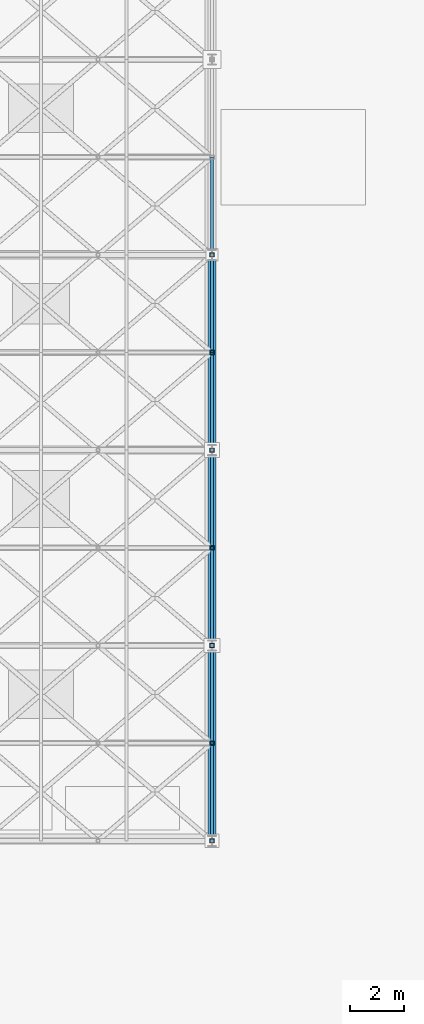
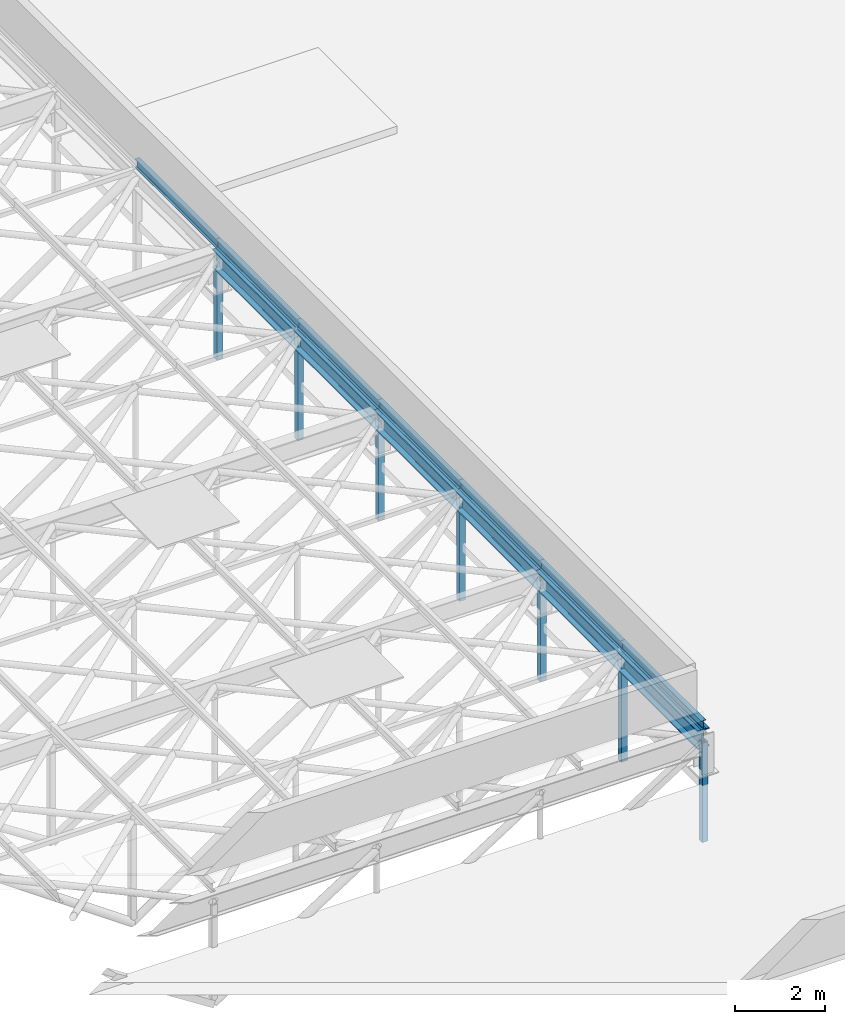
# One storey, part 16 of 45: 14 members, 3 beams.
"""IFC4 building model written with IfcOpenShell, lengths in metres."""

import ifcopenshell
import ifcopenshell.guid

model = None  # the IFC model being written
_history = None  # IfcOwnerHistory: only IFC2X3 demands one
_inside = {}  # id of a spatial element -> (the spatial element, [elements in it])
_under = {}  # id of a project, library or spatial element -> (it, [spatial elements below it])
_declared = {}  # id of a project -> (the project, [libraries it declares])
_typed = {}  # id of a type object -> (the type object, [elements of that type])
_made_of = {}  # id of a material, layer set ... -> (it, [elements and type objects made of it])


def new_model(schema):
    """Start an empty IFC model of exactly this schema.

    Asked for "IFC4X3", IfcOpenShell would pick the latest addendum, in which some entities
    have other attributes; the version numbers below select the first issue.
    IFC2X3 requires an IfcOwnerHistory on every rooted entity: one is made here for all.
    """
    global model, _history
    if schema == "IFC4X3":
        model = ifcopenshell.file(schema_version=(4, 3, 0, 0))
    else:
        model = ifcopenshell.file(schema=schema)
    _inside.clear()
    _under.clear()
    _declared.clear()
    _typed.clear()
    _made_of.clear()
    _history = None
    if model.schema == "IFC2X3":
        org = make("IfcOrganization", Name="unknown")
        user = make(
            "IfcPersonAndOrganization",
            ThePerson=make("IfcPerson", FamilyName="unknown"),
            TheOrganization=org,
        )
        app = make(
            "IfcApplication",
            ApplicationDeveloper=org,
            Version="unknown",
            ApplicationFullName="unknown",
            ApplicationIdentifier="unknown",
        )
        _history = make(
            "IfcOwnerHistory",
            OwningUser=user,
            OwningApplication=app,
            ChangeAction="ADDED",
            CreationDate=0,
        )
    return model


def make(cls, **values):
    """One entity of the class cls with the attributes given. An attribute that is None is left unset."""
    return model.create_entity(
        cls, **{name: value for name, value in values.items() if value is not None}
    )


def rooted(cls, **values):
    """An entity with a GlobalId (a new one), such as an element, a storey or a relation."""
    return make(cls, GlobalId=ifcopenshell.guid.new(), OwnerHistory=_history, **values)


def si_unit(unit_type, name, prefix=None):
    """IfcSIUnit, for example si_unit("LENGTHUNIT", "METRE", prefix="MILLI")."""
    return make("IfcSIUnit", UnitType=unit_type, Prefix=prefix, Name=name)


def derived_unit(unit_type, elements):
    """IfcDerivedUnit: a product of units, each with its exponent."""
    return make(
        "IfcDerivedUnit",
        Elements=[
            make("IfcDerivedUnitElement", Unit=unit, Exponent=power)
            for unit, power in elements
        ],
        UnitType=unit_type,
    )


def assignment(units):
    """IfcUnitAssignment: the units of a project."""
    return None if units is None else make("IfcUnitAssignment", Units=units)


def point(xyz):
    """IfcCartesianPoint."""
    return None if xyz is None else make("IfcCartesianPoint", Coordinates=xyz)


def direction(xyz):
    """IfcDirection."""
    return None if xyz is None else make("IfcDirection", DirectionRatios=xyz)


def frame(location, z_axis=None, x_axis=None):
    """IfcAxis2Placement3D, a coordinate frame: its origin and axes. An axis left out is left unset."""
    return make(
        "IfcAxis2Placement3D",
        Location=point(location),
        Axis=direction(z_axis),
        RefDirection=direction(x_axis),
    )


def frame_2d(location, x_axis=None):
    """IfcAxis2Placement2D, a coordinate frame in the plane: its origin and x axis."""
    return make(
        "IfcAxis2Placement2D", Location=point(location), RefDirection=direction(x_axis)
    )


def origin():
    """The frame at (0, 0, 0) with its axes left unset."""
    return frame((0.0, 0.0, 0.0))


def origin_2d():
    """The frame at (0, 0) in the plane with its x axis left unset."""
    return frame_2d((0.0, 0.0))


def place(relative_to, where):
    """IfcLocalPlacement: puts the frame where relative to a parent placement (None: the world)."""
    return make(
        "IfcLocalPlacement", PlacementRelTo=relative_to, RelativePlacement=where
    )


def context(
    kind, dimensions, precision=None, world=None, true_north=None, identifier=None
):
    """IfcGeometricRepresentationContext, for example the 3D "Model" context."""
    return make(
        "IfcGeometricRepresentationContext",
        ContextIdentifier=identifier,
        ContextType=kind,
        CoordinateSpaceDimension=dimensions,
        Precision=precision,
        WorldCoordinateSystem=world,
        TrueNorth=true_north,
    )


def subcontext(parent, identifier, kind, view, scale=None):
    """IfcGeometricRepresentationSubContext, for example "Body" below "Model"."""
    return make(
        "IfcGeometricRepresentationSubContext",
        ContextIdentifier=identifier,
        ContextType=kind,
        ParentContext=parent,
        TargetScale=scale,
        TargetView=view,
    )


def project(units=None, contexts=None):
    """IfcProject with its units and contexts."""
    return rooted(
        "IfcProject",
        Name="project",
        RepresentationContexts=contexts,
        UnitsInContext=assignment(units),
    )


def spatial(cls, under=None, at=None, **own):
    """A site, building, storey or space (cls), placed at a placement, below another one or the project."""
    s = rooted(cls, ObjectPlacement=at, **own)
    if under is not None:
        _under.setdefault(under.id(), (under, []))[1].append(s)
    return s


def profile(cls, at=None, kind="AREA", **sizes):
    """A parametric profile (cls). Its sizes go by their IFC names, for example OverallWidth=200.0."""
    return make(cls, ProfileType=kind, Position=at, **sizes)


def hollow_rectangle(**sizes):
    """IfcRectangleHollowProfileDef."""
    return profile("IfcRectangleHollowProfileDef", **sizes)


def i_section(**sizes):
    """IfcIShapeProfileDef."""
    return profile("IfcIShapeProfileDef", **sizes)


def extrude(swept, where, along, depth):
    """IfcExtrudedAreaSolid: the profile swept, set in the frame where, extruded along a direction by depth."""
    return make(
        "IfcExtrudedAreaSolid",
        SweptArea=swept,
        Position=where,
        ExtrudedDirection=direction(along),
        Depth=depth,
    )


def shape(context_of_items, identifier, shape_type, items):
    """IfcShapeRepresentation: the items that make up one representation, for example the "Body"."""
    return make(
        "IfcShapeRepresentation",
        ContextOfItems=context_of_items,
        RepresentationIdentifier=identifier,
        RepresentationType=shape_type,
        Items=items,
    )


def material(Name=None, Category=None):
    """IfcMaterial."""
    return make("IfcMaterial", Name=Name, Category=Category)


def material_profile(
    of_material, cross_section, Name=None, Category=None, Priority=None
):
    """IfcMaterialProfile: a cross section and its material."""
    return make(
        "IfcMaterialProfile",
        Name=Name,
        Material=of_material,
        Profile=cross_section,
        Priority=Priority,
        Category=Category,
    )


def profile_set(profiles, Name=None, composite=None):
    """IfcMaterialProfileSet."""
    return make(
        "IfcMaterialProfileSet",
        Name=Name,
        MaterialProfiles=profiles,
        CompositeProfile=composite,
    )


def made_of(thing, what):
    """Note that an element or type object is made of a material, layer set ...; save() writes the relation."""
    if what is not None:
        _made_of.setdefault(what.id(), (what, []))[1].append(thing)
    return thing


def type_object(cls, material=None, **own):
    """A type object (cls), such as IfcWallType, which elements share."""
    return made_of(rooted(cls, **own), material)


def element(
    cls,
    number,
    at=None,
    inside=None,
    cuts=None,
    type_object=None,
    material=None,
    context=None,
    identifier="Body",
    shape_type=None,
    held_by="IfcProductDefinitionShape",
    body=None,
    shapes=None,
    **own,
):
    """One element of the class cls, such as IfcWall. Its Tag is "e" and its number.

    at: its placement. inside: the storey or other place that contains it. cuts: it is an
    opening in that element (IfcRelVoidsElement). A single representation is given by context,
    identifier, shape_type and body (its items); several are given by shapes. held_by: the class
    of the entity that holds the representations. save() writes the other relations.
    """
    e = rooted(cls, Tag="e%d" % number, ObjectPlacement=at, **own)
    if body is not None:
        shapes = [shape(context, identifier, shape_type, body)]
    if shapes is not None:
        e.Representation = make(held_by, Representations=shapes)
    if inside is not None:
        _inside.setdefault(inside.id(), (inside, []))[1].append(e)
    if cuts is not None:
        rooted(
            "IfcRelVoidsElement", RelatingBuildingElement=cuts, RelatedOpeningElement=e
        )
    if type_object is not None:
        _typed.setdefault(type_object.id(), (type_object, []))[1].append(e)
    return made_of(e, material)


def aggregate(whole, parts):
    """IfcRelAggregates: a whole, such as a stair, and the parts it consists of."""
    return rooted("IfcRelAggregates", RelatingObject=whole, RelatedObjects=parts)


def save(model, path):
    """Write the relations noted so far, then the file.

    IfcRelAggregates (storeys below a building ...), IfcRelContainedInSpatialStructure (elements
    in a storey), IfcRelDefinesByType, IfcRelAssociatesMaterial and IfcRelDeclares: one each for
    every whole, place, type object, material and project.
    """
    for whole, parts in _under.values():
        aggregate(whole, parts)
    for where, things in _inside.values():
        rooted(
            "IfcRelContainedInSpatialStructure",
            RelatedElements=things,
            RelatingStructure=where,
        )
    for kind, things in _typed.values():
        rooted("IfcRelDefinesByType", RelatedObjects=things, RelatingType=kind)
    for what, things in _made_of.values():
        rooted("IfcRelAssociatesMaterial", RelatedObjects=things, RelatingMaterial=what)
    for by, libraries in _declared.values():
        rooted("IfcRelDeclares", RelatingContext=by, RelatedDefinitions=libraries)
    model.write(path)


model = new_model("IFC4")

# Units and contexts
model_context = context("Model", 3, precision=1e-05, world=origin(), true_north=direction((0.0, 1.0)))
body_context = subcontext(model_context, "Body", "Model", "MODEL_VIEW")
ifc_project = project(units=[si_unit("LENGTHUNIT", "METRE"), si_unit("AREAUNIT", "SQUARE_METRE"), si_unit("VOLUMEUNIT", "CUBIC_METRE"), si_unit("PLANEANGLEUNIT", "RADIAN"), si_unit("MASSUNIT", "GRAM", prefix="KILO"), derived_unit("THERMALTRANSMITTANCEUNIT", [(si_unit("MASSUNIT", "GRAM", prefix="KILO"), 1), (si_unit("TIMEUNIT", "SECOND"), -3), (si_unit("THERMODYNAMICTEMPERATUREUNIT", "KELVIN"), -1)])], contexts=[model_context])

# Site, building, storey
site_placement = place(None, origin())
site = spatial("IfcSite", under=ifc_project, at=site_placement, CompositionType="ELEMENT")
building_placement = place(site_placement, origin())
building = spatial("IfcBuilding", under=site, at=building_placement, Name="Veldstrom Oceanarium and Marine Research Institute", CompositionType="ELEMENT")
storey_placement = place(building_placement, frame((0.0, 0.0, 22.199951171875)))
storey = spatial("IfcBuildingStorey", under=building, at=storey_placement, Name="L04", CompositionType="ELEMENT", Elevation=22.199951171875)

# Beams
ifc_material_1 = material(Name="Steel S355JR", Category="steel")
ifc_material_profile_1 = material_profile(ifc_material_1, i_section(OverallWidth=0.300048828125, OverallDepth=0.5, WebThickness=0.014404296875, FlangeThickness=0.028076171875, FilletRadius=0.027099609375, at=origin_2d()), Name="HEB 500")
ifc_profile_set_1 = profile_set([ifc_material_profile_1], Name="Steel S355JR")
beam_type = type_object("IfcBeamType", Name="STR-BM-SB4", PredefinedType="BEAM", material=ifc_profile_set_1)
beam_placement = place(storey_placement, frame((42.0, 14.39990234375, 0.860107421875), z_axis=(0.0, 1.0, 0.0), x_axis=(-1.0, 0.0, 0.0)))
element("IfcBeam", 1, at=beam_placement, inside=storey, type_object=beam_type, Name="Hall Roof Edge Girder 6/C", PredefinedType="BEAM", context=body_context, shape_type="SweptSolid", body=[
    extrude(i_section(OverallWidth=0.300048828125, OverallDepth=0.5, WebThickness=0.014404296875, FlangeThickness=0.028076171875, FilletRadius=0.027099609375, at=origin_2d()), origin(), (0.0, 0.0, 1.0), 7.2001953125),
])
for number, where, z_axis, x_axis, name in (
    (2, (42.0, 21.60009765625, 0.860107421875), (0.0, 1.0, 0.0), (-1.0, 0.0, 0.0), "Hall Roof Edge Girder 6/D"),
    (3, (42.0, 28.800048828125, 0.860107421875), (0.0, 1.0, 0.0), (-1.0, 0.0, 0.0), "Hall Roof Edge Girder 6/E"),
):
    element("IfcBeam", number, at=place(storey_placement, frame(where, z_axis=z_axis, x_axis=x_axis)), inside=storey, type_object=beam_type, Name=name, PredefinedType="BEAM", context=body_context, shape_type="SweptSolid", body=[
        extrude(i_section(OverallWidth=0.300048828125, OverallDepth=0.5, WebThickness=0.014404296875, FlangeThickness=0.028076171875, FilletRadius=0.027099609375, at=origin_2d()), origin(), (0.0, 0.0, 1.0), 7.199951171875),
    ])

# Members
ifc_material_2 = material(Name="Steel S355JR", Category="steel")
ifc_material_profile_2 = material_profile(ifc_material_2, i_section(OverallWidth=0.1201171875, OverallDepth=0.239990234375, WebThickness=0.006103515625, FlangeThickness=0.009765625, FilletRadius=0.014892578125, at=origin_2d()), Name="IPE 240")
ifc_profile_set_2 = profile_set([ifc_material_profile_2], Name="Steel S355JR")
member_type_1 = type_object("IfcMemberType", Name="STR-MEM-PR1", PredefinedType="PURLIN", material=ifc_profile_set_2)
for number, where, z_axis, x_axis, name in (
    (4, (42.0, 14.39990234375, 1.22998046875), (0.0, 1.0, 0.0), (-1.0, 0.0, 0.0), "Hall Roof Purlin PR-02-9"),
    (5, (42.0, 18.0, 1.22998046875), (0.0, 1.0, 0.0), (-1.0, 0.0, 0.0), "Hall Roof Purlin PR-03-9"),
):
    element("IfcMember", number, at=place(storey_placement, frame(where, z_axis=z_axis, x_axis=x_axis)), inside=storey, type_object=member_type_1, Name=name, PredefinedType="PURLIN", context=body_context, shape_type="SweptSolid", body=[
        extrude(i_section(OverallWidth=0.1201171875, OverallDepth=0.239990234375, WebThickness=0.006103515625, FlangeThickness=0.009765625, FilletRadius=0.014892578125, at=origin_2d()), origin(), (0.0, 0.0, 1.0), 3.60009765625),
    ])
member_1_placement = place(storey_placement, frame((42.0, 21.60009765625, 1.22998046875), z_axis=(0.0, 1.0, 0.0), x_axis=(-1.0, 0.0, 0.0)))
element("IfcMember", 6, at=member_1_placement, inside=storey, type_object=member_type_1, Name="Hall Roof Purlin PR-04-9", PredefinedType="PURLIN", context=body_context, shape_type="SweptSolid", body=[
    extrude(i_section(OverallWidth=0.1201171875, OverallDepth=0.239990234375, WebThickness=0.006103515625, FlangeThickness=0.009765625, FilletRadius=0.014892578125, at=origin_2d()), origin(), (0.0, 0.0, 1.0), 3.599853515625),
])
member_2_placement = place(storey_placement, frame((42.0, 25.199951171875, 1.22998046875), z_axis=(0.0, 1.0, 0.0), x_axis=(-1.0, 0.0, 0.0)))
element("IfcMember", 7, at=member_2_placement, inside=storey, type_object=member_type_1, Name="Hall Roof Purlin PR-05-9", PredefinedType="PURLIN", context=body_context, shape_type="SweptSolid", body=[
    extrude(i_section(OverallWidth=0.1201171875, OverallDepth=0.239990234375, WebThickness=0.006103515625, FlangeThickness=0.009765625, FilletRadius=0.014892578125, at=origin_2d()), origin(), (0.0, 0.0, 1.0), 3.60009765625),
])
member_3_placement = place(storey_placement, frame((42.0, 28.800048828125, 1.22998046875), z_axis=(0.0, 1.0, 0.0), x_axis=(-1.0, 0.0, 0.0)))
element("IfcMember", 8, at=member_3_placement, inside=storey, type_object=member_type_1, Name="Hall Roof Purlin PR-06-9", PredefinedType="PURLIN", context=body_context, shape_type="SweptSolid", body=[
    extrude(i_section(OverallWidth=0.1201171875, OverallDepth=0.239990234375, WebThickness=0.006103515625, FlangeThickness=0.009765625, FilletRadius=0.014892578125, at=origin_2d()), origin(), (0.0, 0.0, 1.0), 3.599853515625),
])
for number, where, z_axis, x_axis, name in (
    (9, (42.0, 32.39990234375, 1.22998046875), (0.0, 1.0, 0.0), (-1.0, 0.0, 0.0), "Hall Roof Purlin PR-07-9"),
    (10, (42.0, 36.0, 1.22998046875), (0.0, 1.0, 0.0), (-1.0, 0.0, 0.0), "Hall Roof Purlin PR-08-9"),
):
    element("IfcMember", number, at=place(storey_placement, frame(where, z_axis=z_axis, x_axis=x_axis)), inside=storey, type_object=member_type_1, Name=name, PredefinedType="PURLIN", context=body_context, shape_type="SweptSolid", body=[
        extrude(i_section(OverallWidth=0.1201171875, OverallDepth=0.239990234375, WebThickness=0.006103515625, FlangeThickness=0.009765625, FilletRadius=0.014892578125, at=origin_2d()), origin(), (0.0, 0.0, 1.0), 3.60009765625),
    ])
ifc_material_3 = material(Name="Steel S355JR", Category="steel")
ifc_material_profile_3 = material_profile(ifc_material_3, hollow_rectangle(XDim=0.14990234375, YDim=0.14990234375, WallThickness=0.010009765625, at=origin_2d()), Name="SHS 150x150x10")
ifc_profile_set_3 = profile_set([ifc_material_profile_3], Name="Steel S355JR")
member_type_2 = type_object("IfcMemberType", Name="STR-MEM-PS1", PredefinedType="POST", material=ifc_profile_set_3)
member_4_placement = place(storey_placement, frame((42.0, 14.39990234375, -1.89990234375), z_axis=(0.0, 0.0, 1.0), x_axis=(1.0, 0.0, 0.0)))
element("IfcMember", 11, at=member_4_placement, inside=storey, type_object=member_type_2, Name="Truss Vertical Post RT01-7", PredefinedType="POST", context=body_context, shape_type="SweptSolid", body=[
    extrude(hollow_rectangle(XDim=0.14990234375, YDim=0.14990234375, WallThickness=0.010009765625, at=origin_2d()), origin(), (0.0, 0.0, 1.0), 2.701416015625),
])
member_5_placement = place(storey_placement, frame((42.0, 18.0, -1.89990234375), z_axis=(0.0, 0.0, 1.0), x_axis=(1.0, 0.0, 0.0)))
element("IfcMember", 12, at=member_5_placement, inside=storey, type_object=member_type_2, Name="Truss Vertical Post RT02-7", PredefinedType="POST", context=body_context, shape_type="SweptSolid", body=[
    extrude(hollow_rectangle(XDim=0.14990234375, YDim=0.14990234375, WallThickness=0.010009765625, at=origin_2d()), origin(), (0.0, 0.0, 1.0), 2.949951171875),
])
member_6_placement = place(storey_placement, frame((42.0, 21.60009765625, -1.89990234375), z_axis=(0.0, 0.0, 1.0), x_axis=(1.0, 0.0, 0.0)))
element("IfcMember", 13, at=member_6_placement, inside=storey, type_object=member_type_2, Name="Truss Vertical Post RT03-7", PredefinedType="POST", context=body_context, shape_type="SweptSolid", body=[
    extrude(hollow_rectangle(XDim=0.14990234375, YDim=0.14990234375, WallThickness=0.010009765625, at=origin_2d()), origin(), (0.0, 0.0, 1.0), 2.743408203125),
])
member_7_placement = place(storey_placement, frame((42.0, 25.199951171875, -1.89990234375), z_axis=(0.0, 0.0, 1.0), x_axis=(1.0, 0.0, 0.0)))
element("IfcMember", 14, at=member_7_placement, inside=storey, type_object=member_type_2, Name="Truss Vertical Post RT04-7", PredefinedType="POST", context=body_context, shape_type="SweptSolid", body=[
    extrude(hollow_rectangle(XDim=0.14990234375, YDim=0.14990234375, WallThickness=0.010009765625, at=origin_2d()), origin(), (0.0, 0.0, 1.0), 2.949951171875),
])
member_8_placement = place(storey_placement, frame((42.0, 28.800048828125, -1.89990234375), z_axis=(0.0, 0.0, 1.0), x_axis=(1.0, 0.0, 0.0)))
element("IfcMember", 15, at=member_8_placement, inside=storey, type_object=member_type_2, Name="Truss Vertical Post RT05-7", PredefinedType="POST", context=body_context, shape_type="SweptSolid", body=[
    extrude(hollow_rectangle(XDim=0.14990234375, YDim=0.14990234375, WallThickness=0.010009765625, at=origin_2d()), origin(), (0.0, 0.0, 1.0), 2.7099609375),
])
member_9_placement = place(storey_placement, frame((42.0, 32.39990234375, -1.89990234375), z_axis=(0.0, 0.0, 1.0), x_axis=(1.0, 0.0, 0.0)))
element("IfcMember", 16, at=member_9_placement, inside=storey, type_object=member_type_2, Name="Truss Vertical Post RT06-7", PredefinedType="POST", context=body_context, shape_type="SweptSolid", body=[
    extrude(hollow_rectangle(XDim=0.14990234375, YDim=0.14990234375, WallThickness=0.010009765625, at=origin_2d()), origin(), (0.0, 0.0, 1.0), 2.949951171875),
])
member_10_placement = place(storey_placement, frame((42.0, 36.0, -1.89990234375), z_axis=(0.0, 0.0, 1.0), x_axis=(1.0, 0.0, 0.0)))
element("IfcMember", 17, at=member_10_placement, inside=storey, type_object=member_type_2, Name="Truss Vertical Post RT07-7", PredefinedType="POST", context=body_context, shape_type="SweptSolid", body=[
    extrude(hollow_rectangle(XDim=0.14990234375, YDim=0.14990234375, WallThickness=0.010009765625, at=origin_2d()), origin(), (0.0, 0.0, 1.0), 2.760009765625),
])

save(model, "model.ifc")
